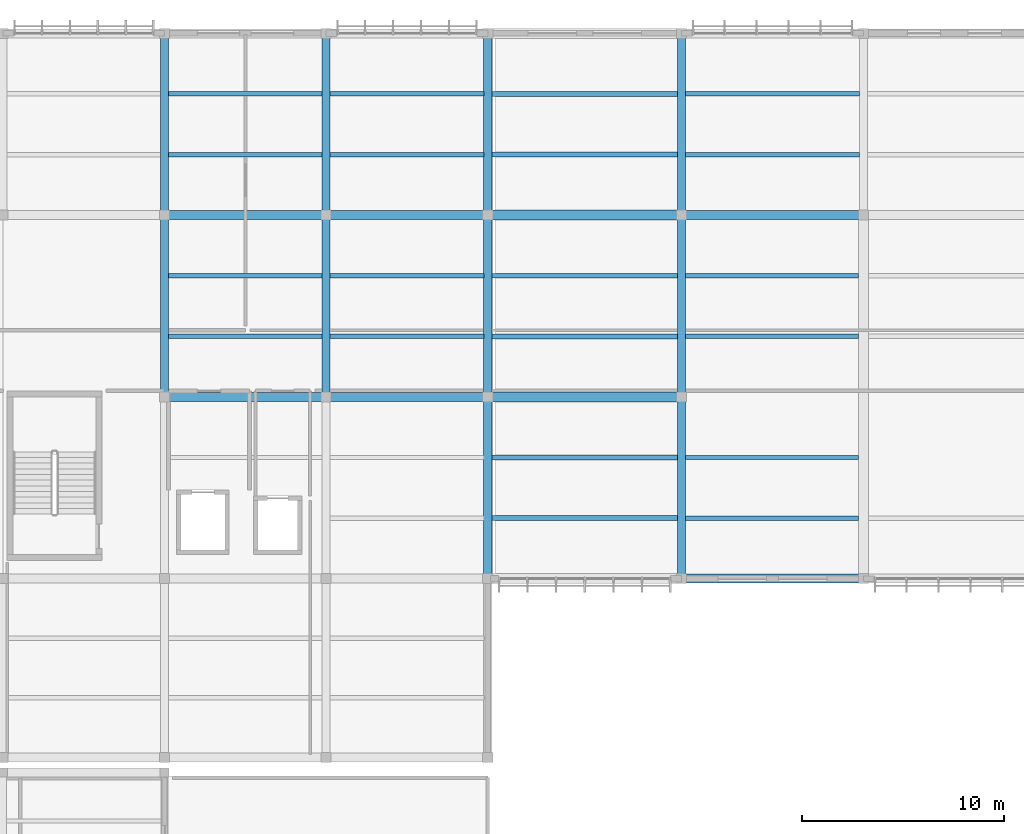
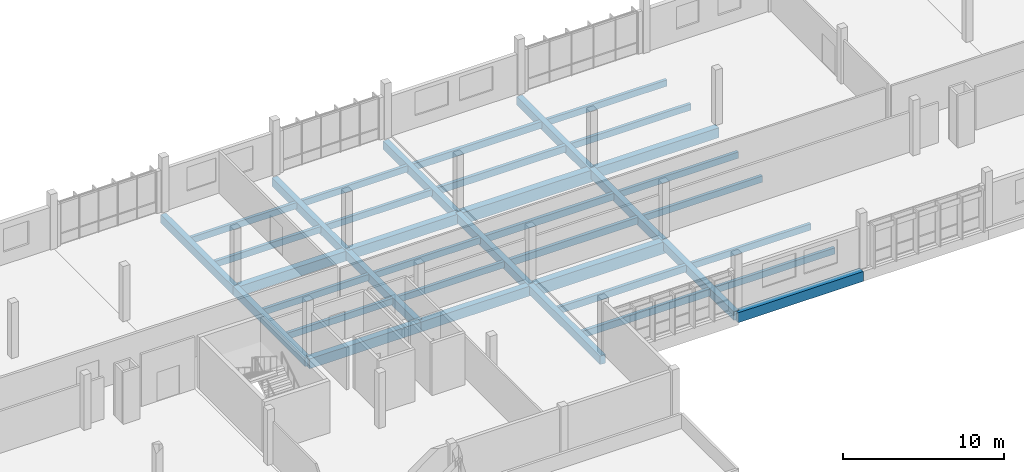
# One storey, part 40 of 107: 38 beams.
"""IFC4 building model written with IfcOpenShell, lengths in metres."""

from ifc_helpers import new_model, si_unit, direction, frame, origin, origin_2d, place, context, subcontext, project, spatial, rectangle, extrude, material, material_profile, profile_set, type_object, element, save


model = new_model("IFC4")

# Units and contexts
model_context = context("Model", 3, precision=1e-05, world=origin(), true_north=direction((0.0, 1.0)))
body_context = subcontext(model_context, "Body", "Model", "MODEL_VIEW")
ifc_project = project(units=[si_unit("LENGTHUNIT", "METRE"), si_unit("AREAUNIT", "SQUARE_METRE"), si_unit("VOLUMEUNIT", "CUBIC_METRE"), si_unit("PLANEANGLEUNIT", "RADIAN"), si_unit("MASSUNIT", "GRAM", prefix="KILO")], contexts=[model_context])

# Site, building, storey
site_placement = place(None, origin())
site = spatial("IfcSite", under=ifc_project, at=site_placement, CompositionType="ELEMENT")
building_placement = place(site_placement, origin())
building = spatial("IfcBuilding", under=site, at=building_placement, Name="Chiffa Square Polytechnic", CompositionType="ELEMENT")
storey_placement = place(building_placement, frame((0.0, 0.0, 13.800048828125)))
storey = spatial("IfcBuildingStorey", under=building, at=storey_placement, Name="L03", CompositionType="ELEMENT", Elevation=13.800048828125)

# Beams
ifc_material_1 = material(Name="Concrete C35/45", Category="concrete")
ifc_material_profile_1 = material_profile(ifc_material_1, rectangle(XDim=0.39990234375, YDim=0.64990234375, at=origin_2d()), Name="RC 400x650")
ifc_profile_set_1 = profile_set([ifc_material_profile_1], Name="Concrete C35/45")
beam_type_1 = type_object("IfcBeamType", Name="BM-RC-400X650", PredefinedType="BEAM", material=ifc_profile_set_1)
for number, where, z_axis, x_axis, name in (
    (1, (32.0, 112.800048828125, -0.5849609375), (0.0, 1.0, 0.0), (-1.0, 0.0, 0.0), "Primary floor girder BM-V5-L03-Y-0320-1128"),
    (2, (32.0, 121.800048828125, -0.5849609375), (0.0, 1.0, 0.0), (-1.0, 0.0, 0.0), "Primary floor girder BM-V5-L03-Y-0320-1218"),
    (3, (40.0, 112.800048828125, -0.5849609375), (0.0, 1.0, 0.0), (-1.0, 0.0, 0.0), "Primary floor girder BM-V5-L03-Y-0400-1128"),
    (4, (40.0, 121.800048828125, -0.5849609375), (0.0, 1.0, 0.0), (-1.0, 0.0, 0.0), "Primary floor girder BM-V5-L03-Y-0400-1218"),
    (5, (48.0, 103.800048828125, -0.5849609375), (0.0, 1.0, 0.0), (-1.0, 0.0, 0.0), "Primary floor girder BM-V5-L03-Y-0480-1038"),
    (6, (48.0, 112.800048828125, -0.5849609375), (0.0, 1.0, 0.0), (-1.0, 0.0, 0.0), "Primary floor girder BM-V5-L03-Y-0480-1128"),
    (7, (48.0, 121.800048828125, -0.5849609375), (0.0, 1.0, 0.0), (-1.0, 0.0, 0.0), "Primary floor girder BM-V5-L03-Y-0480-1218"),
    (8, (57.60009765625, 103.800048828125, -0.5849609375), (0.0, 1.0, 0.0), (-1.0, 0.0, 0.0), "Primary floor girder BM-V5-L03-Y-0576-1038"),
    (9, (57.60009765625, 112.800048828125, -0.5849609375), (0.0, 1.0, 0.0), (-1.0, 0.0, 0.0), "Primary floor girder BM-V5-L03-Y-0576-1128"),
    (10, (57.60009765625, 121.800048828125, -0.5849609375), (0.0, 1.0, 0.0), (-1.0, 0.0, 0.0), "Primary floor girder BM-V5-L03-Y-0576-1218"),
):
    element("IfcBeam", number, at=place(storey_placement, frame(where, z_axis=z_axis, x_axis=x_axis)), inside=storey, type_object=beam_type_1, Name=name, PredefinedType="BEAM", context=body_context, shape_type="SweptSolid", body=[
        extrude(rectangle(XDim=0.39990234375, YDim=0.64990234375, at=origin_2d()), origin(), (0.0, 0.0, 1.0), 9.0),
    ])
ifc_material_profile_2 = material_profile(ifc_material_1, rectangle(XDim=0.449951171875, YDim=0.75, at=origin_2d()), Name="RC 450x750")
ifc_profile_set_2 = profile_set([ifc_material_profile_2], Name="Concrete C35/45")
beam_type_2 = type_object("IfcBeamType", Name="BM-RC-450X750", PredefinedType="BEAM", material=ifc_profile_set_2)
beam_1_placement = place(storey_placement, frame((57.60009765625, 103.800048828125, -0.635009765625), z_axis=(1.0, 0.0, 0.0), x_axis=(0.0, 1.0, 0.0)))
element("IfcBeam", 11, at=beam_1_placement, inside=storey, type_object=beam_type_2, Name="Primary floor girder BM-V5-L03-X-0576-1038", PredefinedType="BEAM", context=body_context, shape_type="SweptSolid", body=[
    extrude(rectangle(XDim=0.449951171875, YDim=0.75, at=origin_2d()), origin(), (0.0, 0.0, 1.0), 9.0),
])
for number, where, z_axis, x_axis, name in (
    (12, (32.0, 112.800048828125, -0.635009765625), (1.0, 0.0, 0.0), (0.0, 1.0, 0.0), "Primary floor girder BM-V5-L03-X-0320-1128"),
    (13, (40.0, 112.800048828125, -0.635009765625), (1.0, 0.0, 0.0), (0.0, 1.0, 0.0), "Primary floor girder BM-V5-L03-X-0400-1128"),
    (14, (32.0, 121.800048828125, -0.635009765625), (1.0, 0.0, 0.0), (0.0, 1.0, 0.0), "Primary floor girder BM-V5-L03-X-0320-1218"),
    (15, (40.0, 121.800048828125, -0.635009765625), (1.0, 0.0, 0.0), (0.0, 1.0, 0.0), "Primary floor girder BM-V5-L03-X-0400-1218"),
):
    element("IfcBeam", number, at=place(storey_placement, frame(where, z_axis=z_axis, x_axis=x_axis)), inside=storey, type_object=beam_type_2, Name=name, PredefinedType="BEAM", context=body_context, shape_type="SweptSolid", body=[
        extrude(rectangle(XDim=0.449951171875, YDim=0.75, at=origin_2d()), origin(), (0.0, 0.0, 1.0), 8.0),
    ])
beam_2_placement = place(storey_placement, frame((57.60009765625, 121.800048828125, -0.635009765625), z_axis=(1.0, 0.0, 0.0), x_axis=(0.0, 1.0, 0.0)))
element("IfcBeam", 16, at=beam_2_placement, inside=storey, type_object=beam_type_2, Name="Primary floor girder BM-V5-L03-X-0576-1218", PredefinedType="BEAM", context=body_context, shape_type="SweptSolid", body=[
    extrude(rectangle(XDim=0.449951171875, YDim=0.75, at=origin_2d()), origin(), (0.0, 0.0, 1.0), 9.0),
])
ifc_material_2 = material(Name="Concrete C40/50", Category="concrete")
ifc_material_profile_3 = material_profile(ifc_material_2, rectangle(XDim=0.5, YDim=0.89990234375, at=origin_2d()), Name="RC 500x900")
ifc_profile_set_3 = profile_set([ifc_material_profile_3], Name="Concrete C40/50")
beam_type_3 = type_object("IfcBeamType", Name="BM-RC-500X900", PredefinedType="BEAM", material=ifc_profile_set_3)
for number, where, z_axis, x_axis, name in (
    (17, (48.0, 112.800048828125, -0.7099609375), (1.0, 0.0, 0.0), (0.0, 1.0, 0.0), "Primary floor girder BM-V5-L03-X-0480-1128"),
    (18, (48.0, 121.800048828125, -0.7099609375), (1.0, 0.0, 0.0), (0.0, 1.0, 0.0), "Primary floor girder BM-V5-L03-X-0480-1218"),
):
    element("IfcBeam", number, at=place(storey_placement, frame(where, z_axis=z_axis, x_axis=x_axis)), inside=storey, type_object=beam_type_3, Name=name, PredefinedType="BEAM", context=body_context, shape_type="SweptSolid", body=[
        extrude(rectangle(XDim=0.5, YDim=0.89990234375, at=origin_2d()), origin(), (0.0, 0.0, 1.0), 9.60009765625),
    ])
ifc_material_3 = material(Name="Glulam GL28h", Category="wood")
ifc_material_profile_4 = material_profile(ifc_material_3, rectangle(XDim=0.219970703125, YDim=0.47998046875, at=origin_2d()), Name="GL28h 220x480")
ifc_profile_set_4 = profile_set([ifc_material_profile_4], Name="Glulam GL28h")
beam_type_4 = type_object("IfcBeamType", Name="JST-GL-220X480", PredefinedType="JOIST", material=ifc_profile_set_4)
for number, where, z_axis, x_axis, name in (
    (19, (32.197998046875, 115.800048828125, -0.5), (1.0, 0.0, 0.0), (0.0, 1.0, 0.0), "Secondary floor joist JST-V5-L03-0320-1158"),
    (20, (32.197998046875, 118.800048828125, -0.5), (1.0, 0.0, 0.0), (0.0, 1.0, 0.0), "Secondary floor joist JST-V5-L03-0320-1188"),
    (21, (32.197998046875, 124.800048828125, -0.5), (1.0, 0.0, 0.0), (0.0, 1.0, 0.0), "Secondary floor joist JST-V5-L03-0320-1248"),
    (22, (32.197998046875, 127.800048828125, -0.5), (1.0, 0.0, 0.0), (0.0, 1.0, 0.0), "Secondary floor joist JST-V5-L03-0320-1278"),
    (23, (40.197998046875, 115.800048828125, -0.5), (1.0, 0.0, 0.0), (0.0, 1.0, 0.0), "Secondary floor joist JST-V5-L03-0400-1158"),
    (24, (40.197998046875, 118.800048828125, -0.5), (1.0, 0.0, 0.0), (0.0, 1.0, 0.0), "Secondary floor joist JST-V5-L03-0400-1188"),
    (25, (40.197998046875, 124.800048828125, -0.5), (1.0, 0.0, 0.0), (0.0, 1.0, 0.0), "Secondary floor joist JST-V5-L03-0400-1248"),
    (26, (40.197998046875, 127.800048828125, -0.5), (1.0, 0.0, 0.0), (0.0, 1.0, 0.0), "Secondary floor joist JST-V5-L03-0400-1278"),
):
    element("IfcBeam", number, at=place(storey_placement, frame(where, z_axis=z_axis, x_axis=x_axis)), inside=storey, type_object=beam_type_4, Name=name, PredefinedType="JOIST", context=body_context, shape_type="SweptSolid", body=[
        extrude(rectangle(XDim=0.219970703125, YDim=0.47998046875, at=origin_2d()), origin(), (0.0, 0.0, 1.0), 7.60400390625),
    ])
for number, where, z_axis, x_axis, name in (
    (27, (57.798095703125, 106.800048828125, -0.5), (1.0, 0.0, 0.0), (0.0, 1.0, 0.0), "Secondary floor joist JST-V5-L03-0576-1068"),
    (28, (57.798095703125, 109.800048828125, -0.5), (1.0, 0.0, 0.0), (0.0, 1.0, 0.0), "Secondary floor joist JST-V5-L03-0576-1098"),
    (29, (57.798095703125, 115.800048828125, -0.5), (1.0, 0.0, 0.0), (0.0, 1.0, 0.0), "Secondary floor joist JST-V5-L03-0576-1158"),
    (30, (57.798095703125, 118.800048828125, -0.5), (1.0, 0.0, 0.0), (0.0, 1.0, 0.0), "Secondary floor joist JST-V5-L03-0576-1188"),
):
    element("IfcBeam", number, at=place(storey_placement, frame(where, z_axis=z_axis, x_axis=x_axis)), inside=storey, type_object=beam_type_4, Name=name, PredefinedType="JOIST", context=body_context, shape_type="SweptSolid", body=[
        extrude(rectangle(XDim=0.219970703125, YDim=0.47998046875, at=origin_2d()), origin(), (0.0, 0.0, 1.0), 8.553955078125),
    ])
for number, where, z_axis, x_axis, name in (
    (31, (57.798095703125, 124.800048828125, -0.5), (1.0, 0.0, 0.0), (0.0, 1.0, 0.0), "Secondary floor joist JST-V5-L03-0576-1248"),
    (32, (57.798095703125, 127.800048828125, -0.5), (1.0, 0.0, 0.0), (0.0, 1.0, 0.0), "Secondary floor joist JST-V5-L03-0576-1278"),
):
    element("IfcBeam", number, at=place(storey_placement, frame(where, z_axis=z_axis, x_axis=x_axis)), inside=storey, type_object=beam_type_4, Name=name, PredefinedType="JOIST", context=body_context, shape_type="SweptSolid", body=[
        extrude(rectangle(XDim=0.219970703125, YDim=0.47998046875, at=origin_2d()), origin(), (0.0, 0.0, 1.0), 8.60400390625),
    ])
ifc_material_profile_5 = material_profile(ifc_material_3, rectangle(XDim=0.239990234375, YDim=0.52001953125, at=origin_2d()), Name="GL28h 240x520")
ifc_profile_set_5 = profile_set([ifc_material_profile_5], Name="Glulam GL28h")
beam_type_5 = type_object("IfcBeamType", Name="JST-GL-240X520", PredefinedType="JOIST", material=ifc_profile_set_5)
for number, where, z_axis, x_axis, name in (
    (33, (48.197998046875, 106.800048828125, -0.52001953125), (1.0, 0.0, 0.0), (0.0, 1.0, 0.0), "Secondary floor joist JST-V5-L03-0480-1068"),
    (34, (48.197998046875, 109.800048828125, -0.52001953125), (1.0, 0.0, 0.0), (0.0, 1.0, 0.0), "Secondary floor joist JST-V5-L03-0480-1098"),
    (35, (48.197998046875, 115.800048828125, -0.52001953125), (1.0, 0.0, 0.0), (0.0, 1.0, 0.0), "Secondary floor joist JST-V5-L03-0480-1158"),
    (36, (48.197998046875, 118.800048828125, -0.52001953125), (1.0, 0.0, 0.0), (0.0, 1.0, 0.0), "Secondary floor joist JST-V5-L03-0480-1188"),
    (37, (48.197998046875, 124.800048828125, -0.52001953125), (1.0, 0.0, 0.0), (0.0, 1.0, 0.0), "Secondary floor joist JST-V5-L03-0480-1248"),
    (38, (48.197998046875, 127.800048828125, -0.52001953125), (1.0, 0.0, 0.0), (0.0, 1.0, 0.0), "Secondary floor joist JST-V5-L03-0480-1278"),
):
    element("IfcBeam", number, at=place(storey_placement, frame(where, z_axis=z_axis, x_axis=x_axis)), inside=storey, type_object=beam_type_5, Name=name, PredefinedType="JOIST", context=body_context, shape_type="SweptSolid", body=[
        extrude(rectangle(XDim=0.239990234375, YDim=0.52001953125, at=origin_2d()), origin(), (0.0, 0.0, 1.0), 9.2041015625),
    ])

save(model, "model.ifc")
